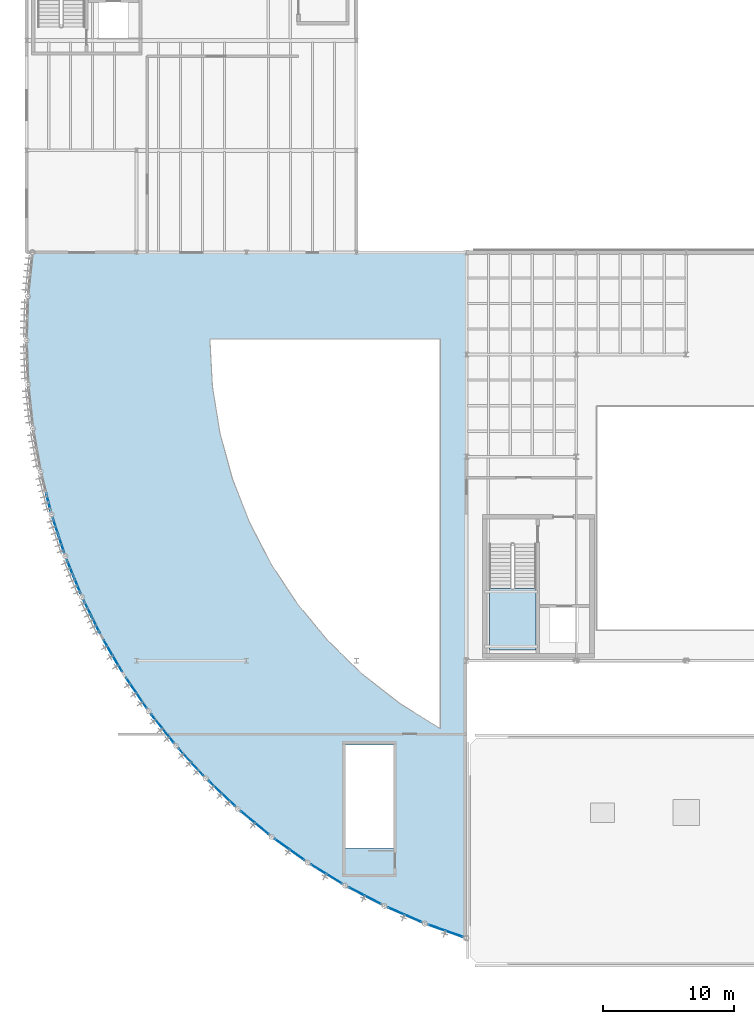
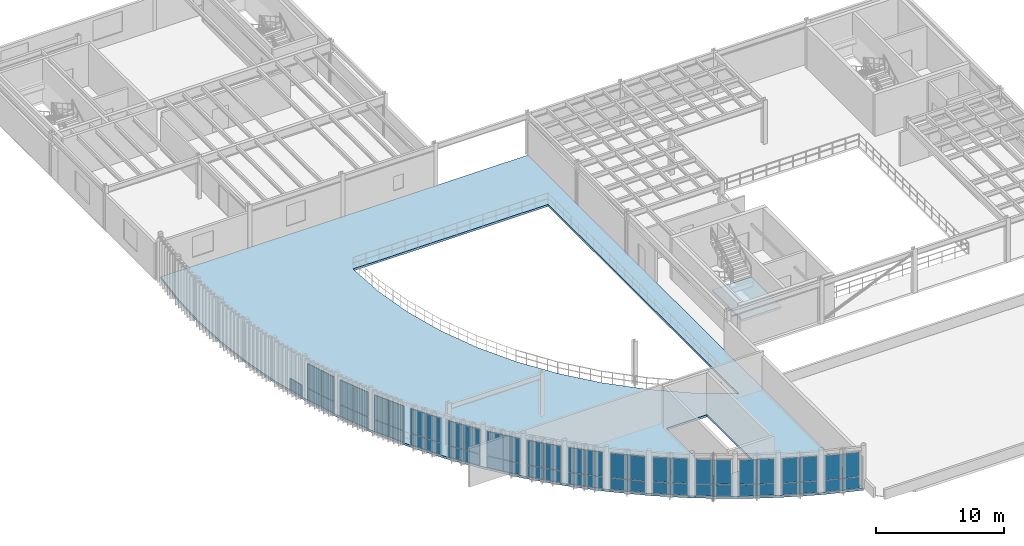
# One storey, part 29 of 54: 57 plates, 2 slabs, 16 elements without a shape of their own.
"""IFC4 building model written with IfcOpenShell, lengths in metres."""

import ifcopenshell
import ifcopenshell.guid

model = None  # the IFC model being written
_history = None  # IfcOwnerHistory: only IFC2X3 demands one
_inside = {}  # id of a spatial element -> (the spatial element, [elements in it])
_under = {}  # id of a project, library or spatial element -> (it, [spatial elements below it])
_declared = {}  # id of a project -> (the project, [libraries it declares])
_typed = {}  # id of a type object -> (the type object, [elements of that type])
_made_of = {}  # id of a material, layer set ... -> (it, [elements and type objects made of it])


def new_model(schema):
    """Start an empty IFC model of exactly this schema.

    Asked for "IFC4X3", IfcOpenShell would pick the latest addendum, in which some entities
    have other attributes; the version numbers below select the first issue.
    IFC2X3 requires an IfcOwnerHistory on every rooted entity: one is made here for all.
    """
    global model, _history
    if schema == "IFC4X3":
        model = ifcopenshell.file(schema_version=(4, 3, 0, 0))
    else:
        model = ifcopenshell.file(schema=schema)
    _inside.clear()
    _under.clear()
    _declared.clear()
    _typed.clear()
    _made_of.clear()
    _history = None
    if model.schema == "IFC2X3":
        org = make("IfcOrganization", Name="unknown")
        user = make(
            "IfcPersonAndOrganization",
            ThePerson=make("IfcPerson", FamilyName="unknown"),
            TheOrganization=org,
        )
        app = make(
            "IfcApplication",
            ApplicationDeveloper=org,
            Version="unknown",
            ApplicationFullName="unknown",
            ApplicationIdentifier="unknown",
        )
        _history = make(
            "IfcOwnerHistory",
            OwningUser=user,
            OwningApplication=app,
            ChangeAction="ADDED",
            CreationDate=0,
        )
    return model


def make(cls, **values):
    """One entity of the class cls with the attributes given. An attribute that is None is left unset."""
    return model.create_entity(
        cls, **{name: value for name, value in values.items() if value is not None}
    )


def rooted(cls, **values):
    """An entity with a GlobalId (a new one), such as an element, a storey or a relation."""
    return make(cls, GlobalId=ifcopenshell.guid.new(), OwnerHistory=_history, **values)


def si_unit(unit_type, name, prefix=None):
    """IfcSIUnit, for example si_unit("LENGTHUNIT", "METRE", prefix="MILLI")."""
    return make("IfcSIUnit", UnitType=unit_type, Prefix=prefix, Name=name)


def assignment(units):
    """IfcUnitAssignment: the units of a project."""
    return None if units is None else make("IfcUnitAssignment", Units=units)


def point(xyz):
    """IfcCartesianPoint."""
    return None if xyz is None else make("IfcCartesianPoint", Coordinates=xyz)


def direction(xyz):
    """IfcDirection."""
    return None if xyz is None else make("IfcDirection", DirectionRatios=xyz)


def frame(location, z_axis=None, x_axis=None):
    """IfcAxis2Placement3D, a coordinate frame: its origin and axes. An axis left out is left unset."""
    return make(
        "IfcAxis2Placement3D",
        Location=point(location),
        Axis=direction(z_axis),
        RefDirection=direction(x_axis),
    )


def frame_2d(location, x_axis=None):
    """IfcAxis2Placement2D, a coordinate frame in the plane: its origin and x axis."""
    return make(
        "IfcAxis2Placement2D", Location=point(location), RefDirection=direction(x_axis)
    )


def origin():
    """The frame at (0, 0, 0) with its axes left unset."""
    return frame((0.0, 0.0, 0.0))


def origin_2d():
    """The frame at (0, 0) in the plane with its x axis left unset."""
    return frame_2d((0.0, 0.0))


def place(relative_to, where):
    """IfcLocalPlacement: puts the frame where relative to a parent placement (None: the world)."""
    return make(
        "IfcLocalPlacement", PlacementRelTo=relative_to, RelativePlacement=where
    )


def context(
    kind, dimensions, precision=None, world=None, true_north=None, identifier=None
):
    """IfcGeometricRepresentationContext, for example the 3D "Model" context."""
    return make(
        "IfcGeometricRepresentationContext",
        ContextIdentifier=identifier,
        ContextType=kind,
        CoordinateSpaceDimension=dimensions,
        Precision=precision,
        WorldCoordinateSystem=world,
        TrueNorth=true_north,
    )


def subcontext(parent, identifier, kind, view, scale=None):
    """IfcGeometricRepresentationSubContext, for example "Body" below "Model"."""
    return make(
        "IfcGeometricRepresentationSubContext",
        ContextIdentifier=identifier,
        ContextType=kind,
        ParentContext=parent,
        TargetScale=scale,
        TargetView=view,
    )


def project(units=None, contexts=None):
    """IfcProject with its units and contexts."""
    return rooted(
        "IfcProject",
        Name="project",
        RepresentationContexts=contexts,
        UnitsInContext=assignment(units),
    )


def spatial(cls, under=None, at=None, **own):
    """A site, building, storey or space (cls), placed at a placement, below another one or the project."""
    s = rooted(cls, ObjectPlacement=at, **own)
    if under is not None:
        _under.setdefault(under.id(), (under, []))[1].append(s)
    return s


def polyline(points):
    """IfcPolyline through the points."""
    return make("IfcPolyline", Points=[point(p) for p in points])


def profile(cls, at=None, kind="AREA", **sizes):
    """A parametric profile (cls). Its sizes go by their IFC names, for example OverallWidth=200.0."""
    return make(cls, ProfileType=kind, Position=at, **sizes)


def rectangle(**sizes):
    """IfcRectangleProfileDef."""
    return profile("IfcRectangleProfileDef", **sizes)


def outline(outer, holes=None, kind="AREA"):
    """IfcArbitraryClosedProfileDef: a profile drawn as a closed curve; with holes, ...WithVoids."""
    if holes is None:
        return make("IfcArbitraryClosedProfileDef", ProfileType=kind, OuterCurve=outer)
    return make(
        "IfcArbitraryProfileDefWithVoids",
        ProfileType=kind,
        OuterCurve=outer,
        InnerCurves=holes,
    )


def extrude(swept, where, along, depth):
    """IfcExtrudedAreaSolid: the profile swept, set in the frame where, extruded along a direction by depth."""
    return make(
        "IfcExtrudedAreaSolid",
        SweptArea=swept,
        Position=where,
        ExtrudedDirection=direction(along),
        Depth=depth,
    )


def shape(context_of_items, identifier, shape_type, items):
    """IfcShapeRepresentation: the items that make up one representation, for example the "Body"."""
    return make(
        "IfcShapeRepresentation",
        ContextOfItems=context_of_items,
        RepresentationIdentifier=identifier,
        RepresentationType=shape_type,
        Items=items,
    )


def material(Name=None, Category=None):
    """IfcMaterial."""
    return make("IfcMaterial", Name=Name, Category=Category)


def layer(
    of_material, thickness, ventilated=None, Name=None, Category=None, Priority=None
):
    """IfcMaterialLayer: one layer of a wall or slab, of a material (None: an air gap)."""
    return make(
        "IfcMaterialLayer",
        Material=of_material,
        LayerThickness=thickness,
        IsVentilated=ventilated,
        Name=Name,
        Category=Category,
        Priority=Priority,
    )


def layer_set(layers, Name=None):
    """IfcMaterialLayerSet."""
    return make("IfcMaterialLayerSet", MaterialLayers=layers, LayerSetName=Name)


def made_of(thing, what):
    """Note that an element or type object is made of a material, layer set ...; save() writes the relation."""
    if what is not None:
        _made_of.setdefault(what.id(), (what, []))[1].append(thing)
    return thing


def type_object(cls, material=None, **own):
    """A type object (cls), such as IfcWallType, which elements share."""
    return made_of(rooted(cls, **own), material)


def element(
    cls,
    number,
    at=None,
    inside=None,
    cuts=None,
    type_object=None,
    material=None,
    context=None,
    identifier="Body",
    shape_type=None,
    held_by="IfcProductDefinitionShape",
    body=None,
    shapes=None,
    **own,
):
    """One element of the class cls, such as IfcWall. Its Tag is "e" and its number.

    at: its placement. inside: the storey or other place that contains it. cuts: it is an
    opening in that element (IfcRelVoidsElement). A single representation is given by context,
    identifier, shape_type and body (its items); several are given by shapes. held_by: the class
    of the entity that holds the representations. save() writes the other relations.
    """
    e = rooted(cls, Tag="e%d" % number, ObjectPlacement=at, **own)
    if body is not None:
        shapes = [shape(context, identifier, shape_type, body)]
    if shapes is not None:
        e.Representation = make(held_by, Representations=shapes)
    if inside is not None:
        _inside.setdefault(inside.id(), (inside, []))[1].append(e)
    if cuts is not None:
        rooted(
            "IfcRelVoidsElement", RelatingBuildingElement=cuts, RelatedOpeningElement=e
        )
    if type_object is not None:
        _typed.setdefault(type_object.id(), (type_object, []))[1].append(e)
    return made_of(e, material)


def aggregate(whole, parts):
    """IfcRelAggregates: a whole, such as a stair, and the parts it consists of."""
    return rooted("IfcRelAggregates", RelatingObject=whole, RelatedObjects=parts)


def save(model, path):
    """Write the relations noted so far, then the file.

    IfcRelAggregates (storeys below a building ...), IfcRelContainedInSpatialStructure (elements
    in a storey), IfcRelDefinesByType, IfcRelAssociatesMaterial and IfcRelDeclares: one each for
    every whole, place, type object, material and project.
    """
    for whole, parts in _under.values():
        aggregate(whole, parts)
    for where, things in _inside.values():
        rooted(
            "IfcRelContainedInSpatialStructure",
            RelatedElements=things,
            RelatingStructure=where,
        )
    for kind, things in _typed.values():
        rooted("IfcRelDefinesByType", RelatedObjects=things, RelatingType=kind)
    for what, things in _made_of.values():
        rooted("IfcRelAssociatesMaterial", RelatedObjects=things, RelatingMaterial=what)
    for by, libraries in _declared.values():
        rooted("IfcRelDeclares", RelatingContext=by, RelatedDefinitions=libraries)
    model.write(path)


model = new_model("IFC4")

# Units and contexts
model_context = context("Model", 3, precision=1e-05, world=origin(), true_north=direction((0.0, 1.0)))
body_context = subcontext(model_context, "Body", "Model", "MODEL_VIEW")
ifc_project = project(units=[si_unit("LENGTHUNIT", "METRE"), si_unit("AREAUNIT", "SQUARE_METRE"), si_unit("VOLUMEUNIT", "CUBIC_METRE"), si_unit("PLANEANGLEUNIT", "RADIAN"), si_unit("MASSUNIT", "GRAM", prefix="KILO")], contexts=[model_context])

# Site, building, storey
site_placement = place(None, origin())
site = spatial("IfcSite", under=ifc_project, at=site_placement, CompositionType="ELEMENT")
building_placement = place(site_placement, origin())
building = spatial("IfcBuilding", under=site, at=building_placement, Name="Selat Folded Stagehouse", CompositionType="ELEMENT")
storey_placement = place(building_placement, frame((0.0, 0.0, 15.0)))
storey = spatial("IfcBuildingStorey", under=building, at=storey_placement, Name="L03", CompositionType="ELEMENT", Elevation=15.0)

# Curtain wall, plate
ifc_material_1 = material(Name="Aluminium 6063-T6", Category="aluminium")
ifc_layer_1 = layer(ifc_material_1, 0.18505859375)
ifc_layer_set_1 = layer_set([ifc_layer_1], Name="Aluminium 6063-T6")
curtain_wall_type = type_object("IfcCurtainWallType", Name="CW-DRM-UPPER", PredefinedType="NOTDEFINED", material=ifc_layer_set_1)
curtain_wall_1_placement = place(storey_placement, origin())
curtain_wall_1 = element("IfcCurtainWall", 1, at=curtain_wall_1_placement, inside=storey, type_object=curtain_wall_type, Name="L03 curtain wall CW-DRM-L03-05", PredefinedType="NOTDEFINED")
ifc_material_2 = material(Name="High-mass acoustic stagehouse glazing", Category="glass")
ifc_layer_2 = layer(ifc_material_2, 0.0439453125)
ifc_layer_set_2 = layer_set([ifc_layer_2], Name="High-mass acoustic stagehouse glazing")
plate_type = type_object("IfcPlateType", Name="CWP-GLZ-DGU44", PredefinedType="CURTAIN_PANEL", material=ifc_layer_set_2)
plate_1_placement = place(storey_placement, frame((1.67138671875, 35.537353515625, 0.06494140625), z_axis=(0.0, 0.0, 1.0), x_axis=(-0.24561797686, 0.969366705351, 0.0)))
plate_1 = element("IfcPlate", 2, at=plate_1_placement, type_object=plate_type, Name="CW-03 panel 1.1", PredefinedType="CURTAIN_PANEL", context=body_context, shape_type="SweptSolid", body=[
    extrude(rectangle(XDim=1.337158203125, YDim=0.0439453125, at=origin_2d()), origin(), (0.0, 0.0, 1.0), 1.052490234375),
])
aggregate(curtain_wall_1, [plate_1])

# Curtain wall, plates
curtain_wall_2_placement = place(storey_placement, origin())
curtain_wall_2 = element("IfcCurtainWall", 3, at=curtain_wall_2_placement, inside=storey, type_object=curtain_wall_type, Name="L03 curtain wall CW-DRM-L03-06", PredefinedType="NOTDEFINED")
plate_2_placement = place(storey_placement, frame((2.65966796875, 32.318359375, 0.06494140625), z_axis=(0.0, 0.0, 1.0), x_axis=(-0.312994904395, 0.949754805107, 0.0)))
plate_2 = element("IfcPlate", 4, at=plate_2_placement, type_object=plate_type, Name="CW-03 panel 1.1", PredefinedType="CURTAIN_PANEL", context=body_context, shape_type="SweptSolid", body=[
    extrude(rectangle(XDim=1.3369140625, YDim=0.0439453125, at=origin_2d()), origin(), (0.0, 0.0, 1.0), 1.052490234375),
])
plate_3_placement = place(storey_placement, frame((2.65966796875, 32.318359375, 1.1826171875), z_axis=(0.0, 0.0, 1.0), x_axis=(-0.312994904395, 0.949754805107, 0.0)))
plate_3 = element("IfcPlate", 5, at=plate_3_placement, type_object=plate_type, Name="CW-03 panel 1.2", PredefinedType="CURTAIN_PANEL", context=body_context, shape_type="SweptSolid", body=[
    extrude(rectangle(XDim=1.3369140625, YDim=0.0439453125, at=origin_2d()), origin(), (0.0, 0.0, 1.0), 2.3125),
])
plate_4_placement = place(storey_placement, frame((2.220947265625, 33.64990234375, 0.06494140625), z_axis=(0.0, 0.0, 1.0), x_axis=(-0.312994904395, 0.949754805107, 0.0)))
plate_4 = element("IfcPlate", 6, at=plate_4_placement, type_object=plate_type, Name="CW-03 panel 2.1", PredefinedType="CURTAIN_PANEL", context=body_context, shape_type="SweptSolid", body=[
    extrude(rectangle(XDim=1.3369140625, YDim=0.0439453125, at=origin_2d()), origin(), (0.0, 0.0, 1.0), 1.052490234375),
])
plate_5_placement = place(storey_placement, frame((2.220947265625, 33.64990234375, 1.1826171875), z_axis=(0.0, 0.0, 1.0), x_axis=(-0.312994904395, 0.949754805107, 0.0)))
plate_5 = element("IfcPlate", 7, at=plate_5_placement, type_object=plate_type, Name="CW-03 panel 2.2", PredefinedType="CURTAIN_PANEL", context=body_context, shape_type="SweptSolid", body=[
    extrude(rectangle(XDim=1.3369140625, YDim=0.0439453125, at=origin_2d()), origin(), (0.0, 0.0, 1.0), 2.3125),
])
aggregate(curtain_wall_2, [plate_2, plate_3, plate_4, plate_5])

curtain_wall_3_placement = place(storey_placement, origin())
curtain_wall_3 = element("IfcCurtainWall", 8, at=curtain_wall_3_placement, inside=storey, type_object=curtain_wall_type, Name="L03 curtain wall CW-DRM-L03-07", PredefinedType="NOTDEFINED")
plate_6_placement = place(storey_placement, frame((3.871337890625, 29.176513671875, 0.06494140625), z_axis=(0.0, 0.0, 1.0), x_axis=(-0.378890707813, 0.925441425231, 0.0)))
plate_6 = element("IfcPlate", 9, at=plate_6_placement, type_object=plate_type, Name="CW-03 panel 1.1", PredefinedType="CURTAIN_PANEL", context=body_context, shape_type="SweptSolid", body=[
    extrude(rectangle(XDim=1.3369140625, YDim=0.0439453125, at=origin_2d()), origin(), (0.0, 0.0, 1.0), 1.052490234375),
])
plate_7_placement = place(storey_placement, frame((3.871337890625, 29.176513671875, 1.1826171875), z_axis=(0.0, 0.0, 1.0), x_axis=(-0.378890707813, 0.925441425231, 0.0)))
plate_7 = element("IfcPlate", 10, at=plate_7_placement, type_object=plate_type, Name="CW-03 panel 1.2", PredefinedType="CURTAIN_PANEL", context=body_context, shape_type="SweptSolid", body=[
    extrude(rectangle(XDim=1.3369140625, YDim=0.0439453125, at=origin_2d()), origin(), (0.0, 0.0, 1.0), 2.3125),
])
plate_8_placement = place(storey_placement, frame((3.340087890625, 30.47412109375, 0.06494140625), z_axis=(0.0, 0.0, 1.0), x_axis=(-0.378890707813, 0.925441425231, 0.0)))
plate_8 = element("IfcPlate", 11, at=plate_8_placement, type_object=plate_type, Name="CW-03 panel 2.1", PredefinedType="CURTAIN_PANEL", context=body_context, shape_type="SweptSolid", body=[
    extrude(rectangle(XDim=1.3369140625, YDim=0.0439453125, at=origin_2d()), origin(), (0.0, 0.0, 1.0), 1.052490234375),
])
plate_9_placement = place(storey_placement, frame((3.340087890625, 30.47412109375, 1.1826171875), z_axis=(0.0, 0.0, 1.0), x_axis=(-0.378890707813, 0.925441425231, 0.0)))
plate_9 = element("IfcPlate", 12, at=plate_9_placement, type_object=plate_type, Name="CW-03 panel 2.2", PredefinedType="CURTAIN_PANEL", context=body_context, shape_type="SweptSolid", body=[
    extrude(rectangle(XDim=1.3369140625, YDim=0.0439453125, at=origin_2d()), origin(), (0.0, 0.0, 1.0), 2.3125),
])
aggregate(curtain_wall_3, [plate_6, plate_7, plate_8, plate_9])

curtain_wall_4_placement = place(storey_placement, origin())
curtain_wall_4 = element("IfcCurtainWall", 13, at=curtain_wall_4_placement, inside=storey, type_object=curtain_wall_type, Name="L03 curtain wall CW-DRM-L03-08", PredefinedType="NOTDEFINED")
plate_10_placement = place(storey_placement, frame((5.300537109375, 26.12744140625, 0.06494140625), z_axis=(0.0, 0.0, 1.0), x_axis=(-0.442844653705, 0.896598356392, 0.0)))
plate_10 = element("IfcPlate", 14, at=plate_10_placement, type_object=plate_type, Name="CW-03 panel 1.1", PredefinedType="CURTAIN_PANEL", context=body_context, shape_type="SweptSolid", body=[
    extrude(rectangle(XDim=1.337158203125, YDim=0.0439453125, at=origin_2d()), origin(), (0.0, 0.0, 1.0), 1.052490234375),
])
plate_11_placement = place(storey_placement, frame((5.300537109375, 26.12744140625, 1.1826171875), z_axis=(0.0, 0.0, 1.0), x_axis=(-0.442844653705, 0.896598356392, 0.0)))
plate_11 = element("IfcPlate", 15, at=plate_11_placement, type_object=plate_type, Name="CW-03 panel 1.2", PredefinedType="CURTAIN_PANEL", context=body_context, shape_type="SweptSolid", body=[
    extrude(rectangle(XDim=1.337158203125, YDim=0.0439453125, at=origin_2d()), origin(), (0.0, 0.0, 1.0), 2.3125),
])
plate_12_placement = place(storey_placement, frame((4.679443359375, 27.384521484375, 0.06494140625), z_axis=(0.0, 0.0, 1.0), x_axis=(-0.442844653705, 0.896598356392, 0.0)))
plate_12 = element("IfcPlate", 16, at=plate_12_placement, type_object=plate_type, Name="CW-03 panel 2.1", PredefinedType="CURTAIN_PANEL", context=body_context, shape_type="SweptSolid", body=[
    extrude(rectangle(XDim=1.337158203125, YDim=0.0439453125, at=origin_2d()), origin(), (0.0, 0.0, 1.0), 1.052490234375),
])
plate_13_placement = place(storey_placement, frame((4.679443359375, 27.384521484375, 1.1826171875), z_axis=(0.0, 0.0, 1.0), x_axis=(-0.442844653705, 0.896598356392, 0.0)))
plate_13 = element("IfcPlate", 17, at=plate_13_placement, type_object=plate_type, Name="CW-03 panel 2.2", PredefinedType="CURTAIN_PANEL", context=body_context, shape_type="SweptSolid", body=[
    extrude(rectangle(XDim=1.337158203125, YDim=0.0439453125, at=origin_2d()), origin(), (0.0, 0.0, 1.0), 2.3125),
])
aggregate(curtain_wall_4, [plate_10, plate_11, plate_12, plate_13])

curtain_wall_5_placement = place(storey_placement, origin())
curtain_wall_5 = element("IfcCurtainWall", 18, at=curtain_wall_5_placement, inside=storey, type_object=curtain_wall_type, Name="L03 curtain wall CW-DRM-L03-09", PredefinedType="NOTDEFINED")
plate_14_placement = place(storey_placement, frame((6.93994140625, 23.186279296875, 0.06494140625), z_axis=(0.0, 0.0, 1.0), x_axis=(-0.504635839764, 0.863332305214, 0.0)))
plate_14 = element("IfcPlate", 19, at=plate_14_placement, type_object=plate_type, Name="CW-03 panel 1.1", PredefinedType="CURTAIN_PANEL", context=body_context, shape_type="SweptSolid", body=[
    extrude(rectangle(XDim=1.3369140625, YDim=0.0439453125, at=origin_2d()), origin(), (0.0, 0.0, 1.0), 1.052490234375),
])
plate_15_placement = place(storey_placement, frame((6.93994140625, 23.186279296875, 1.1826171875), z_axis=(0.0, 0.0, 1.0), x_axis=(-0.504635839764, 0.863332305214, 0.0)))
plate_15 = element("IfcPlate", 20, at=plate_15_placement, type_object=plate_type, Name="CW-03 panel 1.2", PredefinedType="CURTAIN_PANEL", context=body_context, shape_type="SweptSolid", body=[
    extrude(rectangle(XDim=1.3369140625, YDim=0.0439453125, at=origin_2d()), origin(), (0.0, 0.0, 1.0), 2.3125),
])
plate_16_placement = place(storey_placement, frame((6.232421875, 24.396728515625, 0.06494140625), z_axis=(0.0, 0.0, 1.0), x_axis=(-0.504635839764, 0.863332305214, 0.0)))
plate_16 = element("IfcPlate", 21, at=plate_16_placement, type_object=plate_type, Name="CW-03 panel 2.1", PredefinedType="CURTAIN_PANEL", context=body_context, shape_type="SweptSolid", body=[
    extrude(rectangle(XDim=1.3369140625, YDim=0.0439453125, at=origin_2d()), origin(), (0.0, 0.0, 1.0), 1.052490234375),
])
plate_17_placement = place(storey_placement, frame((6.232421875, 24.396728515625, 1.1826171875), z_axis=(0.0, 0.0, 1.0), x_axis=(-0.504635839764, 0.863332305214, 0.0)))
plate_17 = element("IfcPlate", 22, at=plate_17_placement, type_object=plate_type, Name="CW-03 panel 2.2", PredefinedType="CURTAIN_PANEL", context=body_context, shape_type="SweptSolid", body=[
    extrude(rectangle(XDim=1.3369140625, YDim=0.0439453125, at=origin_2d()), origin(), (0.0, 0.0, 1.0), 2.3125),
])
aggregate(curtain_wall_5, [plate_14, plate_15, plate_16, plate_17])

curtain_wall_6_placement = place(storey_placement, origin())
curtain_wall_6 = element("IfcCurtainWall", 23, at=curtain_wall_6_placement, inside=storey, type_object=curtain_wall_type, Name="L03 curtain wall CW-DRM-L03-10", PredefinedType="NOTDEFINED")
plate_18_placement = place(storey_placement, frame((8.781494140625, 20.3671875, 0.06494140625), z_axis=(0.0, 0.0, 1.0), x_axis=(-0.563947732504, 0.825810483709, 0.0)))
plate_18 = element("IfcPlate", 24, at=plate_18_placement, type_object=plate_type, Name="CW-03 panel 1.1", PredefinedType="CURTAIN_PANEL", context=body_context, shape_type="SweptSolid", body=[
    extrude(rectangle(XDim=1.3369140625, YDim=0.0439453125, at=origin_2d()), origin(), (0.0, 0.0, 1.0), 1.052490234375),
])
plate_19_placement = place(storey_placement, frame((8.781494140625, 20.3671875, 1.1826171875), z_axis=(0.0, 0.0, 1.0), x_axis=(-0.563947732504, 0.825810483709, 0.0)))
plate_19 = element("IfcPlate", 25, at=plate_19_placement, type_object=plate_type, Name="CW-03 panel 1.2", PredefinedType="CURTAIN_PANEL", context=body_context, shape_type="SweptSolid", body=[
    extrude(rectangle(XDim=1.3369140625, YDim=0.0439453125, at=origin_2d()), origin(), (0.0, 0.0, 1.0), 2.3125),
])
plate_20_placement = place(storey_placement, frame((7.990966796875, 21.525146484375, 0.06494140625), z_axis=(0.0, 0.0, 1.0), x_axis=(-0.563947732504, 0.825810483709, 0.0)))
plate_20 = element("IfcPlate", 26, at=plate_20_placement, type_object=plate_type, Name="CW-03 panel 2.1", PredefinedType="CURTAIN_PANEL", context=body_context, shape_type="SweptSolid", body=[
    extrude(rectangle(XDim=1.3369140625, YDim=0.0439453125, at=origin_2d()), origin(), (0.0, 0.0, 1.0), 1.052490234375),
])
plate_21_placement = place(storey_placement, frame((7.990966796875, 21.525146484375, 1.1826171875), z_axis=(0.0, 0.0, 1.0), x_axis=(-0.563947732504, 0.825810483709, 0.0)))
plate_21 = element("IfcPlate", 27, at=plate_21_placement, type_object=plate_type, Name="CW-03 panel 2.2", PredefinedType="CURTAIN_PANEL", context=body_context, shape_type="SweptSolid", body=[
    extrude(rectangle(XDim=1.3369140625, YDim=0.0439453125, at=origin_2d()), origin(), (0.0, 0.0, 1.0), 2.3125),
])
aggregate(curtain_wall_6, [plate_18, plate_19, plate_20, plate_21])

curtain_wall_7_placement = place(storey_placement, origin())
curtain_wall_7 = element("IfcCurtainWall", 28, at=curtain_wall_7_placement, inside=storey, type_object=curtain_wall_type, Name="L03 curtain wall CW-DRM-L03-11", PredefinedType="NOTDEFINED")
plate_22_placement = place(storey_placement, frame((10.81640625, 17.684326171875, 0.06494140625), z_axis=(0.0, 0.0, 1.0), x_axis=(-0.620533301992, 0.784180094825, 0.0)))
plate_22 = element("IfcPlate", 29, at=plate_22_placement, type_object=plate_type, Name="CW-03 panel 1.1", PredefinedType="CURTAIN_PANEL", context=body_context, shape_type="SweptSolid", body=[
    extrude(rectangle(XDim=1.3369140625, YDim=0.0439453125, at=origin_2d()), origin(), (0.0, 0.0, 1.0), 1.052490234375),
])
plate_23_placement = place(storey_placement, frame((10.81640625, 17.684326171875, 1.1826171875), z_axis=(0.0, 0.0, 1.0), x_axis=(-0.620533301992, 0.784180094825, 0.0)))
plate_23 = element("IfcPlate", 30, at=plate_23_placement, type_object=plate_type, Name="CW-03 panel 1.2", PredefinedType="CURTAIN_PANEL", context=body_context, shape_type="SweptSolid", body=[
    extrude(rectangle(XDim=1.3369140625, YDim=0.0439453125, at=origin_2d()), origin(), (0.0, 0.0, 1.0), 2.3125),
])
plate_24_placement = place(storey_placement, frame((9.946533203125, 18.78369140625, 0.06494140625), z_axis=(0.0, 0.0, 1.0), x_axis=(-0.620533301992, 0.784180094825, 0.0)))
plate_24 = element("IfcPlate", 31, at=plate_24_placement, type_object=plate_type, Name="CW-03 panel 2.1", PredefinedType="CURTAIN_PANEL", context=body_context, shape_type="SweptSolid", body=[
    extrude(rectangle(XDim=1.3369140625, YDim=0.0439453125, at=origin_2d()), origin(), (0.0, 0.0, 1.0), 1.052490234375),
])
plate_25_placement = place(storey_placement, frame((9.946533203125, 18.78369140625, 1.1826171875), z_axis=(0.0, 0.0, 1.0), x_axis=(-0.620533301992, 0.784180094825, 0.0)))
plate_25 = element("IfcPlate", 32, at=plate_25_placement, type_object=plate_type, Name="CW-03 panel 2.2", PredefinedType="CURTAIN_PANEL", context=body_context, shape_type="SweptSolid", body=[
    extrude(rectangle(XDim=1.3369140625, YDim=0.0439453125, at=origin_2d()), origin(), (0.0, 0.0, 1.0), 2.3125),
])
aggregate(curtain_wall_7, [plate_22, plate_23, plate_24, plate_25])

curtain_wall_8_placement = place(storey_placement, origin())
curtain_wall_8 = element("IfcCurtainWall", 33, at=curtain_wall_8_placement, inside=storey, type_object=curtain_wall_type, Name="L03 curtain wall CW-DRM-L03-12", PredefinedType="NOTDEFINED")
plate_26_placement = place(storey_placement, frame((13.034423828125, 15.15087890625, 0.06494140625), z_axis=(0.0, 0.0, 1.0), x_axis=(-0.674002369336, 0.738729183213, 0.0)))
plate_26 = element("IfcPlate", 34, at=plate_26_placement, type_object=plate_type, Name="CW-03 panel 1.1", PredefinedType="CURTAIN_PANEL", context=body_context, shape_type="SweptSolid", body=[
    extrude(rectangle(XDim=1.3369140625, YDim=0.0439453125, at=origin_2d()), origin(), (0.0, 0.0, 1.0), 1.052490234375),
])
plate_27_placement = place(storey_placement, frame((13.034423828125, 15.15087890625, 1.1826171875), z_axis=(0.0, 0.0, 1.0), x_axis=(-0.674002369336, 0.738729183213, 0.0)))
plate_27 = element("IfcPlate", 35, at=plate_27_placement, type_object=plate_type, Name="CW-03 panel 1.2", PredefinedType="CURTAIN_PANEL", context=body_context, shape_type="SweptSolid", body=[
    extrude(rectangle(XDim=1.3369140625, YDim=0.0439453125, at=origin_2d()), origin(), (0.0, 0.0, 1.0), 2.3125),
])
plate_28_placement = place(storey_placement, frame((12.089599609375, 16.1865234375, 0.06494140625), z_axis=(0.0, 0.0, 1.0), x_axis=(-0.674002369336, 0.738729183213, 0.0)))
plate_28 = element("IfcPlate", 36, at=plate_28_placement, type_object=plate_type, Name="CW-03 panel 2.1", PredefinedType="CURTAIN_PANEL", context=body_context, shape_type="SweptSolid", body=[
    extrude(rectangle(XDim=1.3369140625, YDim=0.0439453125, at=origin_2d()), origin(), (0.0, 0.0, 1.0), 1.052490234375),
])
plate_29_placement = place(storey_placement, frame((12.089599609375, 16.1865234375, 1.1826171875), z_axis=(0.0, 0.0, 1.0), x_axis=(-0.674002369336, 0.738729183213, 0.0)))
plate_29 = element("IfcPlate", 37, at=plate_29_placement, type_object=plate_type, Name="CW-03 panel 2.2", PredefinedType="CURTAIN_PANEL", context=body_context, shape_type="SweptSolid", body=[
    extrude(rectangle(XDim=1.3369140625, YDim=0.0439453125, at=origin_2d()), origin(), (0.0, 0.0, 1.0), 2.3125),
])
aggregate(curtain_wall_8, [plate_26, plate_27, plate_28, plate_29])

curtain_wall_9_placement = place(storey_placement, origin())
curtain_wall_9 = element("IfcCurtainWall", 38, at=curtain_wall_9_placement, inside=storey, type_object=curtain_wall_type, Name="L03 curtain wall CW-DRM-L03-13", PredefinedType="NOTDEFINED")
plate_30_placement = place(storey_placement, frame((15.4248046875, 12.779052734375, 0.06494140625), z_axis=(0.0, 0.0, 1.0), x_axis=(-0.724132128869, 0.689661264636, 0.0)))
plate_30 = element("IfcPlate", 39, at=plate_30_placement, type_object=plate_type, Name="CW-03 panel 1.1", PredefinedType="CURTAIN_PANEL", context=body_context, shape_type="SweptSolid", body=[
    extrude(rectangle(XDim=1.337158203125, YDim=0.0439453125, at=origin_2d()), origin(), (0.0, 0.0, 1.0), 1.052490234375),
])
plate_31_placement = place(storey_placement, frame((15.4248046875, 12.779052734375, 1.1826171875), z_axis=(0.0, 0.0, 1.0), x_axis=(-0.724132128869, 0.689661264636, 0.0)))
plate_31 = element("IfcPlate", 40, at=plate_31_placement, type_object=plate_type, Name="CW-03 panel 1.2", PredefinedType="CURTAIN_PANEL", context=body_context, shape_type="SweptSolid", body=[
    extrude(rectangle(XDim=1.337158203125, YDim=0.0439453125, at=origin_2d()), origin(), (0.0, 0.0, 1.0), 2.3125),
])
plate_32_placement = place(storey_placement, frame((14.40966796875, 13.74609375, 0.06494140625), z_axis=(0.0, 0.0, 1.0), x_axis=(-0.724132128869, 0.689661264636, 0.0)))
plate_32 = element("IfcPlate", 41, at=plate_32_placement, type_object=plate_type, Name="CW-03 panel 2.1", PredefinedType="CURTAIN_PANEL", context=body_context, shape_type="SweptSolid", body=[
    extrude(rectangle(XDim=1.337158203125, YDim=0.0439453125, at=origin_2d()), origin(), (0.0, 0.0, 1.0), 1.052490234375),
])
plate_33_placement = place(storey_placement, frame((14.40966796875, 13.74609375, 1.1826171875), z_axis=(0.0, 0.0, 1.0), x_axis=(-0.724132128869, 0.689661264636, 0.0)))
plate_33 = element("IfcPlate", 42, at=plate_33_placement, type_object=plate_type, Name="CW-03 panel 2.2", PredefinedType="CURTAIN_PANEL", context=body_context, shape_type="SweptSolid", body=[
    extrude(rectangle(XDim=1.337158203125, YDim=0.0439453125, at=origin_2d()), origin(), (0.0, 0.0, 1.0), 2.3125),
])
aggregate(curtain_wall_9, [plate_30, plate_31, plate_32, plate_33])

curtain_wall_10_placement = place(storey_placement, origin())
curtain_wall_10 = element("IfcCurtainWall", 43, at=curtain_wall_10_placement, inside=storey, type_object=curtain_wall_type, Name="L03 curtain wall CW-DRM-L03-14", PredefinedType="NOTDEFINED")
plate_34_placement = place(storey_placement, frame((17.9755859375, 10.580810546875, 0.06494140625), z_axis=(0.0, 0.0, 1.0), x_axis=(-0.770746654899, 0.637141737734, 0.0)))
plate_34 = element("IfcPlate", 44, at=plate_34_placement, type_object=plate_type, Name="CW-03 panel 1.1", PredefinedType="CURTAIN_PANEL", context=body_context, shape_type="SweptSolid", body=[
    extrude(rectangle(XDim=1.3369140625, YDim=0.0439453125, at=origin_2d()), origin(), (0.0, 0.0, 1.0), 1.052490234375),
])
plate_35_placement = place(storey_placement, frame((17.9755859375, 10.580810546875, 1.1826171875), z_axis=(0.0, 0.0, 1.0), x_axis=(-0.770746654899, 0.637141737734, 0.0)))
plate_35 = element("IfcPlate", 45, at=plate_35_placement, type_object=plate_type, Name="CW-03 panel 1.2", PredefinedType="CURTAIN_PANEL", context=body_context, shape_type="SweptSolid", body=[
    extrude(rectangle(XDim=1.3369140625, YDim=0.0439453125, at=origin_2d()), origin(), (0.0, 0.0, 1.0), 2.3125),
])
plate_36_placement = place(storey_placement, frame((16.89501953125, 11.47412109375, 0.06494140625), z_axis=(0.0, 0.0, 1.0), x_axis=(-0.770746654899, 0.637141737734, 0.0)))
plate_36 = element("IfcPlate", 46, at=plate_36_placement, type_object=plate_type, Name="CW-03 panel 2.1", PredefinedType="CURTAIN_PANEL", context=body_context, shape_type="SweptSolid", body=[
    extrude(rectangle(XDim=1.3369140625, YDim=0.0439453125, at=origin_2d()), origin(), (0.0, 0.0, 1.0), 1.052490234375),
])
plate_37_placement = place(storey_placement, frame((16.89501953125, 11.47412109375, 1.1826171875), z_axis=(0.0, 0.0, 1.0), x_axis=(-0.770746654899, 0.637141737734, 0.0)))
plate_37 = element("IfcPlate", 47, at=plate_37_placement, type_object=plate_type, Name="CW-03 panel 2.2", PredefinedType="CURTAIN_PANEL", context=body_context, shape_type="SweptSolid", body=[
    extrude(rectangle(XDim=1.3369140625, YDim=0.0439453125, at=origin_2d()), origin(), (0.0, 0.0, 1.0), 2.3125),
])
aggregate(curtain_wall_10, [plate_34, plate_35, plate_36, plate_37])

curtain_wall_11_placement = place(storey_placement, origin())
curtain_wall_11 = element("IfcCurtainWall", 48, at=curtain_wall_11_placement, inside=storey, type_object=curtain_wall_type, Name="L03 curtain wall CW-DRM-L03-15", PredefinedType="NOTDEFINED")
plate_38_placement = place(storey_placement, frame((20.67431640625, 8.567138671875, 0.06494140625), z_axis=(0.0, 0.0, 1.0), x_axis=(-0.813526170861, 0.581528304836, 0.0)))
plate_38 = element("IfcPlate", 49, at=plate_38_placement, type_object=plate_type, Name="CW-03 panel 1.1", PredefinedType="CURTAIN_PANEL", context=body_context, shape_type="SweptSolid", body=[
    extrude(rectangle(XDim=1.3369140625, YDim=0.0439453125, at=origin_2d()), origin(), (0.0, 0.0, 1.0), 1.052490234375),
])
plate_39_placement = place(storey_placement, frame((20.67431640625, 8.567138671875, 1.1826171875), z_axis=(0.0, 0.0, 1.0), x_axis=(-0.813526170861, 0.581528304836, 0.0)))
plate_39 = element("IfcPlate", 50, at=plate_39_placement, type_object=plate_type, Name="CW-03 panel 1.2", PredefinedType="CURTAIN_PANEL", context=body_context, shape_type="SweptSolid", body=[
    extrude(rectangle(XDim=1.3369140625, YDim=0.0439453125, at=origin_2d()), origin(), (0.0, 0.0, 1.0), 2.3125),
])
plate_40_placement = place(storey_placement, frame((19.53369140625, 9.38232421875, 0.06494140625), z_axis=(0.0, 0.0, 1.0), x_axis=(-0.813526170861, 0.581528304836, 0.0)))
plate_40 = element("IfcPlate", 51, at=plate_40_placement, type_object=plate_type, Name="CW-03 panel 2.1", PredefinedType="CURTAIN_PANEL", context=body_context, shape_type="SweptSolid", body=[
    extrude(rectangle(XDim=1.3369140625, YDim=0.0439453125, at=origin_2d()), origin(), (0.0, 0.0, 1.0), 1.052490234375),
])
plate_41_placement = place(storey_placement, frame((19.53369140625, 9.38232421875, 1.1826171875), z_axis=(0.0, 0.0, 1.0), x_axis=(-0.813526170861, 0.581528304836, 0.0)))
plate_41 = element("IfcPlate", 52, at=plate_41_placement, type_object=plate_type, Name="CW-03 panel 2.2", PredefinedType="CURTAIN_PANEL", context=body_context, shape_type="SweptSolid", body=[
    extrude(rectangle(XDim=1.3369140625, YDim=0.0439453125, at=origin_2d()), origin(), (0.0, 0.0, 1.0), 2.3125),
])
aggregate(curtain_wall_11, [plate_38, plate_39, plate_40, plate_41])

curtain_wall_12_placement = place(storey_placement, origin())
curtain_wall_12 = element("IfcCurtainWall", 53, at=curtain_wall_12_placement, inside=storey, type_object=curtain_wall_type, Name="L03 curtain wall CW-DRM-L03-16", PredefinedType="NOTDEFINED")
plate_42_placement = place(storey_placement, frame((23.507568359375, 6.747314453125, 0.06494140625), z_axis=(0.0, 0.0, 1.0), x_axis=(-0.852317078277, 0.523025427755, 0.0)))
plate_42 = element("IfcPlate", 54, at=plate_42_placement, type_object=plate_type, Name="CW-03 panel 1.1", PredefinedType="CURTAIN_PANEL", context=body_context, shape_type="SweptSolid", body=[
    extrude(rectangle(XDim=1.3369140625, YDim=0.0439453125, at=origin_2d()), origin(), (0.0, 0.0, 1.0), 1.052490234375),
])
plate_43_placement = place(storey_placement, frame((23.507568359375, 6.747314453125, 1.1826171875), z_axis=(0.0, 0.0, 1.0), x_axis=(-0.852317078277, 0.523025427755, 0.0)))
plate_43 = element("IfcPlate", 55, at=plate_43_placement, type_object=plate_type, Name="CW-03 panel 1.2", PredefinedType="CURTAIN_PANEL", context=body_context, shape_type="SweptSolid", body=[
    extrude(rectangle(XDim=1.3369140625, YDim=0.0439453125, at=origin_2d()), origin(), (0.0, 0.0, 1.0), 2.3125),
])
plate_44_placement = place(storey_placement, frame((22.312744140625, 7.480712890625, 0.06494140625), z_axis=(0.0, 0.0, 1.0), x_axis=(-0.852317078277, 0.523025427755, 0.0)))
plate_44 = element("IfcPlate", 56, at=plate_44_placement, type_object=plate_type, Name="CW-03 panel 2.1", PredefinedType="CURTAIN_PANEL", context=body_context, shape_type="SweptSolid", body=[
    extrude(rectangle(XDim=1.3369140625, YDim=0.0439453125, at=origin_2d()), origin(), (0.0, 0.0, 1.0), 1.052490234375),
])
plate_45_placement = place(storey_placement, frame((22.312744140625, 7.480712890625, 1.1826171875), z_axis=(0.0, 0.0, 1.0), x_axis=(-0.852317078277, 0.523025427755, 0.0)))
plate_45 = element("IfcPlate", 57, at=plate_45_placement, type_object=plate_type, Name="CW-03 panel 2.2", PredefinedType="CURTAIN_PANEL", context=body_context, shape_type="SweptSolid", body=[
    extrude(rectangle(XDim=1.3369140625, YDim=0.0439453125, at=origin_2d()), origin(), (0.0, 0.0, 1.0), 2.3125),
])
aggregate(curtain_wall_12, [plate_42, plate_43, plate_44, plate_45])

curtain_wall_13_placement = place(storey_placement, origin())
curtain_wall_13 = element("IfcCurtainWall", 58, at=curtain_wall_13_placement, inside=storey, type_object=curtain_wall_type, Name="L03 curtain wall CW-DRM-L03-17", PredefinedType="NOTDEFINED")
plate_46_placement = place(storey_placement, frame((26.46142578125, 5.131103515625, 0.06494140625), z_axis=(0.0, 0.0, 1.0), x_axis=(-0.886915869147, 0.461930991659, 0.0)))
plate_46 = element("IfcPlate", 59, at=plate_46_placement, type_object=plate_type, Name="CW-03 panel 1.1", PredefinedType="CURTAIN_PANEL", context=body_context, shape_type="SweptSolid", body=[
    extrude(rectangle(XDim=1.3369140625, YDim=0.0439453125, at=origin_2d()), origin(), (0.0, 0.0, 1.0), 1.052490234375),
])
plate_47_placement = place(storey_placement, frame((26.46142578125, 5.131103515625, 1.1826171875), z_axis=(0.0, 0.0, 1.0), x_axis=(-0.886915869147, 0.461930991659, 0.0)))
plate_47 = element("IfcPlate", 60, at=plate_47_placement, type_object=plate_type, Name="CW-03 panel 1.2", PredefinedType="CURTAIN_PANEL", context=body_context, shape_type="SweptSolid", body=[
    extrude(rectangle(XDim=1.3369140625, YDim=0.0439453125, at=origin_2d()), origin(), (0.0, 0.0, 1.0), 2.3125),
])
plate_48_placement = place(storey_placement, frame((25.218017578125, 5.778564453125, 0.06494140625), z_axis=(0.0, 0.0, 1.0), x_axis=(-0.886915869147, 0.461930991659, 0.0)))
plate_48 = element("IfcPlate", 61, at=plate_48_placement, type_object=plate_type, Name="CW-03 panel 2.1", PredefinedType="CURTAIN_PANEL", context=body_context, shape_type="SweptSolid", body=[
    extrude(rectangle(XDim=1.3369140625, YDim=0.0439453125, at=origin_2d()), origin(), (0.0, 0.0, 1.0), 1.052490234375),
])
plate_49_placement = place(storey_placement, frame((25.218017578125, 5.778564453125, 1.1826171875), z_axis=(0.0, 0.0, 1.0), x_axis=(-0.886915869147, 0.461930991659, 0.0)))
plate_49 = element("IfcPlate", 62, at=plate_49_placement, type_object=plate_type, Name="CW-03 panel 2.2", PredefinedType="CURTAIN_PANEL", context=body_context, shape_type="SweptSolid", body=[
    extrude(rectangle(XDim=1.3369140625, YDim=0.0439453125, at=origin_2d()), origin(), (0.0, 0.0, 1.0), 2.3125),
])
aggregate(curtain_wall_13, [plate_46, plate_47, plate_48, plate_49])

curtain_wall_14_placement = place(storey_placement, origin())
curtain_wall_14 = element("IfcCurtainWall", 63, at=curtain_wall_14_placement, inside=storey, type_object=curtain_wall_type, Name="L03 curtain wall CW-DRM-L03-18", PredefinedType="NOTDEFINED")
plate_50_placement = place(storey_placement, frame((29.521484375, 3.725830078125, 0.06494140625), z_axis=(0.0, 0.0, 1.0), x_axis=(-0.917133771915, 0.39857953336, 0.0)))
plate_50 = element("IfcPlate", 64, at=plate_50_placement, type_object=plate_type, Name="CW-03 panel 1.1", PredefinedType="CURTAIN_PANEL", context=body_context, shape_type="SweptSolid", body=[
    extrude(rectangle(XDim=1.3369140625, YDim=0.0439453125, at=origin_2d()), origin(), (0.0, 0.0, 1.0), 1.052490234375),
])
plate_51_placement = place(storey_placement, frame((29.521484375, 3.725830078125, 1.1826171875), z_axis=(0.0, 0.0, 1.0), x_axis=(-0.917133771915, 0.39857953336, 0.0)))
plate_51 = element("IfcPlate", 65, at=plate_51_placement, type_object=plate_type, Name="CW-03 panel 1.2", PredefinedType="CURTAIN_PANEL", context=body_context, shape_type="SweptSolid", body=[
    extrude(rectangle(XDim=1.3369140625, YDim=0.0439453125, at=origin_2d()), origin(), (0.0, 0.0, 1.0), 2.3125),
])
plate_52_placement = place(storey_placement, frame((28.23583984375, 4.28466796875, 0.06494140625), z_axis=(0.0, 0.0, 1.0), x_axis=(-0.917133771915, 0.39857953336, 0.0)))
plate_52 = element("IfcPlate", 66, at=plate_52_placement, type_object=plate_type, Name="CW-03 panel 2.1", PredefinedType="CURTAIN_PANEL", context=body_context, shape_type="SweptSolid", body=[
    extrude(rectangle(XDim=1.3369140625, YDim=0.0439453125, at=origin_2d()), origin(), (0.0, 0.0, 1.0), 1.052490234375),
])
plate_53_placement = place(storey_placement, frame((28.23583984375, 4.28466796875, 1.1826171875), z_axis=(0.0, 0.0, 1.0), x_axis=(-0.917133771915, 0.39857953336, 0.0)))
plate_53 = element("IfcPlate", 67, at=plate_53_placement, type_object=plate_type, Name="CW-03 panel 2.2", PredefinedType="CURTAIN_PANEL", context=body_context, shape_type="SweptSolid", body=[
    extrude(rectangle(XDim=1.3369140625, YDim=0.0439453125, at=origin_2d()), origin(), (0.0, 0.0, 1.0), 2.3125),
])
aggregate(curtain_wall_14, [plate_50, plate_51, plate_52, plate_53])

curtain_wall_15_placement = place(storey_placement, origin())
curtain_wall_15 = element("IfcCurtainWall", 68, at=curtain_wall_15_placement, inside=storey, type_object=curtain_wall_type, Name="L03 curtain wall CW-DRM-L03-19", PredefinedType="NOTDEFINED")
plate_54_placement = place(storey_placement, frame((32.672607421875, 2.53857421875, 0.06494140625), z_axis=(0.0, 0.0, 1.0), x_axis=(-0.942815824106, 0.333314148838, 0.0)))
plate_54 = element("IfcPlate", 69, at=plate_54_placement, type_object=plate_type, Name="CW-03 panel 1.1", PredefinedType="CURTAIN_PANEL", context=body_context, shape_type="SweptSolid", body=[
    extrude(rectangle(XDim=1.3369140625, YDim=0.0439453125, at=origin_2d()), origin(), (0.0, 0.0, 1.0), 1.052490234375),
])
plate_55_placement = place(storey_placement, frame((32.672607421875, 2.53857421875, 1.1826171875), z_axis=(0.0, 0.0, 1.0), x_axis=(-0.942815824106, 0.333314148838, 0.0)))
plate_55 = element("IfcPlate", 70, at=plate_55_placement, type_object=plate_type, Name="CW-03 panel 1.2", PredefinedType="CURTAIN_PANEL", context=body_context, shape_type="SweptSolid", body=[
    extrude(rectangle(XDim=1.3369140625, YDim=0.0439453125, at=origin_2d()), origin(), (0.0, 0.0, 1.0), 2.3125),
])
plate_56_placement = place(storey_placement, frame((31.350830078125, 3.006103515625, 0.06494140625), z_axis=(0.0, 0.0, 1.0), x_axis=(-0.942815824106, 0.333314148838, 0.0)))
plate_56 = element("IfcPlate", 71, at=plate_56_placement, type_object=plate_type, Name="CW-03 panel 2.1", PredefinedType="CURTAIN_PANEL", context=body_context, shape_type="SweptSolid", body=[
    extrude(rectangle(XDim=1.3369140625, YDim=0.0439453125, at=origin_2d()), origin(), (0.0, 0.0, 1.0), 1.052490234375),
])
plate_57_placement = place(storey_placement, frame((31.350830078125, 3.006103515625, 1.1826171875), z_axis=(0.0, 0.0, 1.0), x_axis=(-0.942815824106, 0.333314148838, 0.0)))
plate_57 = element("IfcPlate", 72, at=plate_57_placement, type_object=plate_type, Name="CW-03 panel 2.2", PredefinedType="CURTAIN_PANEL", context=body_context, shape_type="SweptSolid", body=[
    extrude(rectangle(XDim=1.3369140625, YDim=0.0439453125, at=origin_2d()), origin(), (0.0, 0.0, 1.0), 2.3125),
])
aggregate(curtain_wall_15, [plate_54, plate_55, plate_56, plate_57])

# Slab
ifc_material_3 = material(Name="Concrete C40/50", Category="concrete")
ifc_layer_3 = layer(ifc_material_3, 0.199951171875)
ifc_layer_set_3 = layer_set([ifc_layer_3], Name="Concrete C40/50")
slab_type_1 = type_object("IfcSlabType", Name="SLAB-FLR-200", PredefinedType="FLOOR", material=ifc_layer_set_3)
slab_1_placement = place(storey_placement, frame((0.0, 0.0, -0.199951171875)))
element("IfcSlab", 73, at=slab_1_placement, inside=storey, type_object=slab_type_1, Name="L03 V1 floor slab SL-L03-V1", PredefinedType="FLOOR", context=body_context, shape_type="SweptSolid", body=[
    extrude(outline(polyline([(0.455810546875, 54.60009765625), (0.110107421875, 51.248779296875), (0.0, 47.881591796875), (0.126708984375, 44.514892578125), (0.489013671875, 41.16552734375), (1.08544921875, 37.849609375), (1.9130859375, 34.583984375), (2.967529296875, 31.38427734375), (4.243896484375, 28.266357421875), (5.736083984375, 25.24560546875), (7.436279296875, 22.337158203125), (9.336181640625, 19.55517578125), (11.4267578125, 16.9130859375), (13.697509765625, 14.42431640625), (16.136962890625, 12.100830078125), (18.733642578125, 9.954345703125), (21.474365234375, 7.9951171875), (24.345703125, 6.23291015625), (27.333740234375, 4.6767578125), (30.423583984375, 3.333740234375), (33.60009765625, 2.2109375), (33.60009765625, 54.60009765625), (0.455810546875, 54.60009765625)]), holes=[polyline([(28.0400390625, 9.10009765625), (24.360107421875, 9.10009765625), (24.360107421875, 16.97998046875), (28.0400390625, 16.97998046875), (28.0400390625, 9.10009765625)]), polyline([(31.60009765625, 18.216796875), (28.52001953125, 20.133544921875), (25.662109375, 22.36767578125), (23.058349609375, 24.8935546875), (20.73828125, 27.682373046875), (18.72900390625, 30.70263671875), (17.052490234375, 33.919677734375), (15.728515625, 37.297119140625), (14.77197265625, 40.79638671875), (14.193603515625, 44.37744140625), (14.0, 48.0), (31.60009765625, 48.0), (31.60009765625, 18.216796875)])]), origin(), (0.0, 0.0, 1.0), 0.199951171875),
])

# Stair, slab
stair_type = type_object("IfcStairType", Name="STR-DOG-1700-26R", PredefinedType="HALF_TURN_STAIR", material=ifc_material_3)
stair_placement = place(storey_placement, origin())
stair = element("IfcStair", 74, at=stair_placement, inside=storey, type_object=stair_type, Name="L03 Core 1 South-West Fire Core", PredefinedType="HALF_TURN_STAIR")
ifc_layer_4 = layer(ifc_material_3, 0.199951171875)
ifc_layer_set_4 = layer_set([ifc_layer_4], Name="Concrete C40/50")
slab_type_2 = type_object("IfcSlabType", Name="SLAB-STR-LDG-200", PredefinedType="LANDING", material=ifc_layer_set_4)
slab_2_placement = place(storey_placement, frame((0.0, 0.0, 1.89990234375)))
slab_2 = element("IfcSlab", 75, at=slab_2_placement, type_object=slab_type_2, Name="ST-1700-26R landing 1", PredefinedType="LANDING", context=body_context, shape_type="SweptSolid", body=[
    extrude(outline(polyline([(35.360107421875, 28.919921875), (35.360107421875, 24.239990234375), (38.919921875, 24.239990234375), (38.919921875, 28.919921875), (35.360107421875, 28.919921875)])), origin(), (0.0, 0.0, 1.0), 0.2001953125),
])
aggregate(stair, [slab_2])

save(model, "model.ifc")
